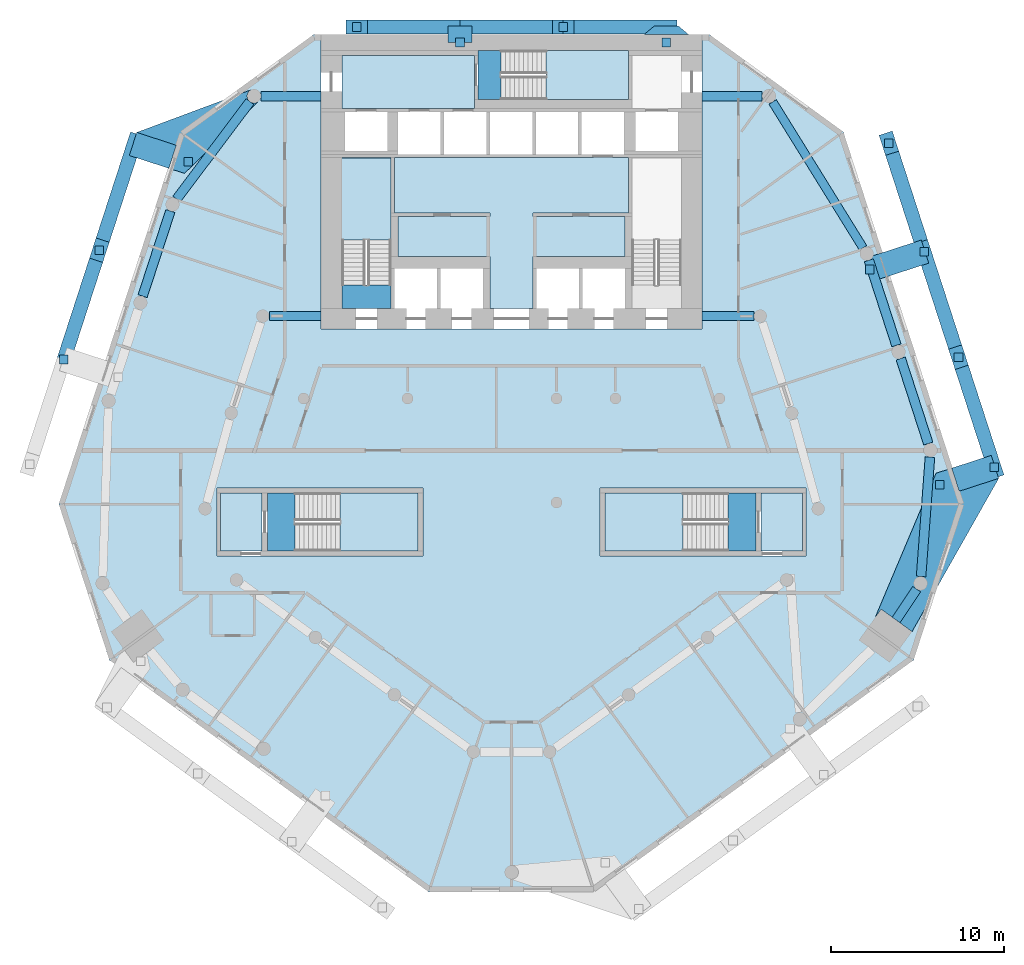
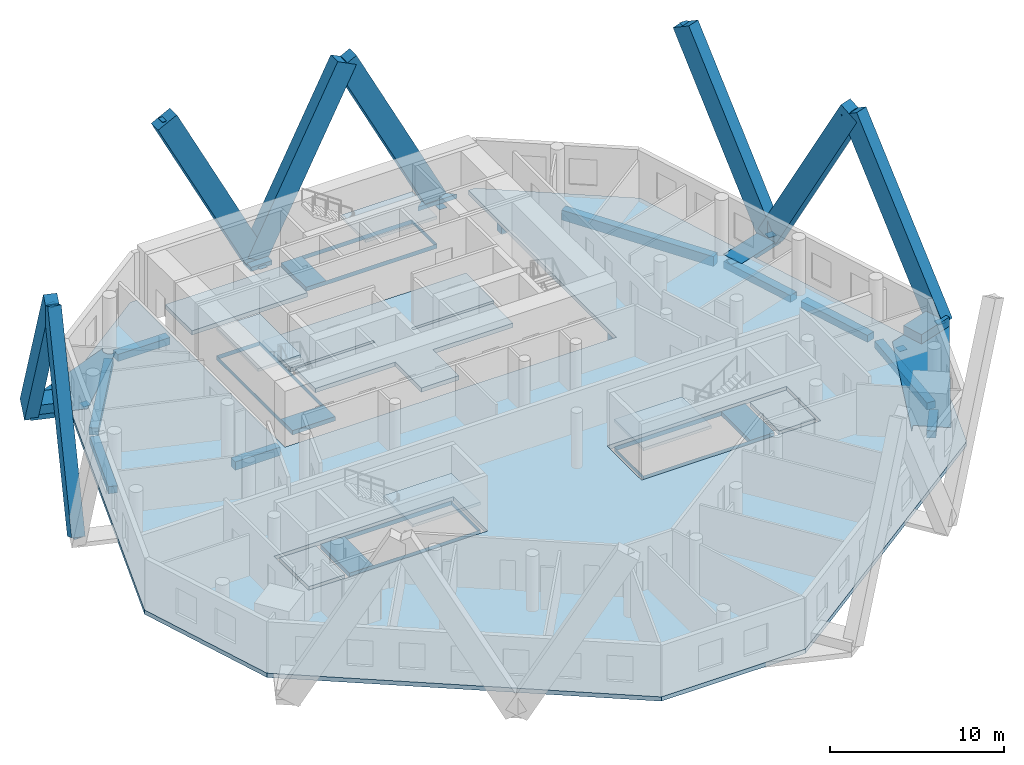
# One storey, part 2 of 10: 15 members, 13 discrete accessories, 13 slabs, 11 beams, 4 elements without a shape of their own.
"""IFC4 building model written with IfcOpenShell, lengths in metres."""

from ifc_helpers import new_model, si_unit, direction, frame, origin, origin_2d, place, context, subcontext, project, spatial, polyline, rectangle, outline, extrude, material, layer, layer_set, material_profile, profile_set, type_object, element, aggregate, save


model = new_model("IFC4")

# Units and contexts
model_context = context("Model", 3, precision=1e-05, world=origin(), true_north=direction((0.0, 1.0)))
body_context = subcontext(model_context, "Body", "Model", "MODEL_VIEW")
ifc_project = project(units=[si_unit("LENGTHUNIT", "METRE"), si_unit("AREAUNIT", "SQUARE_METRE"), si_unit("VOLUMEUNIT", "CUBIC_METRE"), si_unit("PLANEANGLEUNIT", "RADIAN"), si_unit("MASSUNIT", "GRAM", prefix="KILO")], contexts=[model_context])

# Site, building, storey
site_placement = place(None, origin())
site = spatial("IfcSite", under=ifc_project, at=site_placement, CompositionType="ELEMENT")
building_placement = place(site_placement, origin())
building = spatial("IfcBuilding", under=site, at=building_placement, Name="White Candle Pilgrim Tower", CompositionType="ELEMENT")
storey_placement = place(building_placement, frame((0.0, 0.0, 66.300048828125)))
storey = spatial("IfcBuildingStorey", under=building, at=storey_placement, Name="L13", CompositionType="ELEMENT", Elevation=66.300048828125)

# Member
ifc_material_1 = material(Name="Concrete C80/95, white", Category="concrete")
ifc_material_profile_1 = material_profile(ifc_material_1, rectangle(XDim=0.800048828125, YDim=1.39990234375, at=origin_2d()), Name="RC-DG 800x1400")
ifc_profile_set_1 = profile_set([ifc_material_profile_1], Name="Concrete C80/95, white")
member_type_1 = type_object("IfcMemberType", Name="Exoskeleton diagonal RC-DG 800x1400 C80/95", PredefinedType="BRACE", material=ifc_profile_set_1)
member_1_placement = place(storey_placement, frame((78.93701171875, 88.449951171875, 0.0), z_axis=(-0.453783992732, 0.0, 0.891111714624), x_axis=(0.0, -1.0, 0.0)))
member_1 = element("IfcMember", 1, at=member_1_placement, inside=storey, type_object=member_type_1, Name="Exoskeleton diagonal EX007", PredefinedType="BRACE", context=body_context, shape_type="SweptSolid", body=[
    extrude(rectangle(XDim=0.800048828125, YDim=1.39990234375, at=origin_2d()), origin(), (0.0, 0.0, 1.0), 13.129638671875),
])

member_2_placement = place(storey_placement, frame((67.02099609375, 88.449951171875, 0.0), z_axis=(0.453783992732, 0.0, 0.891111714624), x_axis=(0.0, 1.0, 0.0)))
element("IfcMember", 2, at=member_2_placement, inside=storey, type_object=member_type_1, Name="Exoskeleton diagonal EX008", PredefinedType="BRACE", context=body_context, shape_type="SweptSolid", body=[
    extrude(rectangle(XDim=0.800048828125, YDim=1.39990234375, at=origin_2d()), origin(), (0.0, 0.0, 1.0), 13.129638671875),
])

member_3_placement = place(storey_placement, frame((67.02099609375, 88.449951171875, 0.0), z_axis=(-0.453783992732, 0.0, 0.891111714624), x_axis=(0.0, -1.0, 0.0)))
member_3 = element("IfcMember", 3, at=member_3_placement, inside=storey, type_object=member_type_1, Name="Exoskeleton diagonal EX009", PredefinedType="BRACE", context=body_context, shape_type="SweptSolid", body=[
    extrude(rectangle(XDim=0.800048828125, YDim=1.39990234375, at=origin_2d()), origin(), (0.0, 0.0, 1.0), 13.129638671875),
])

member_4_placement = place(storey_placement, frame((97.857421875, 63.041015625, 0.0), z_axis=(-0.153080289795, 0.471113881797, 0.868687593588), x_axis=(-0.951052890969, -0.30902815176, 0.0)))
member_4 = element("IfcMember", 4, at=member_4_placement, inside=storey, type_object=member_type_1, Name="Exoskeleton diagonal EX019", PredefinedType="BRACE", context=body_context, shape_type="SweptSolid", body=[
    extrude(rectangle(XDim=0.800048828125, YDim=1.39990234375, at=origin_2d()), origin(), (0.0, 0.0, 1.0), 13.468505859375),
])

member_5_placement = place(storey_placement, frame((93.81982421875, 75.467041015625, 0.0), z_axis=(0.14819090652, -0.45607202628, 0.877517955411), x_axis=(0.951053989888, 0.30902476975, 0.0)))
member_5 = element("IfcMember", 5, at=member_5_placement, inside=storey, type_object=member_type_1, Name="Exoskeleton diagonal EX020", PredefinedType="BRACE", context=body_context, shape_type="SweptSolid", body=[
    extrude(rectangle(XDim=0.800048828125, YDim=1.39990234375, at=origin_2d()), origin(), (0.0, 0.0, 1.0), 13.3330078125),
])

member_6_placement = place(storey_placement, frame((93.81982421875, 75.467041015625, 0.0), z_axis=(-0.151704185107, 0.466910759771, 0.871194686985), x_axis=(-0.951059100646, -0.309009040449, 0.0)))
member_6 = element("IfcMember", 6, at=member_6_placement, inside=storey, type_object=member_type_1, Name="Exoskeleton diagonal EX021", PredefinedType="BRACE", context=body_context, shape_type="SweptSolid", body=[
    extrude(rectangle(XDim=0.800048828125, YDim=1.39990234375, at=origin_2d()), origin(), (0.0, 0.0, 1.0), 13.4296875),
])

member_7_placement = place(storey_placement, frame((48.19873046875, 81.68017578125, 0.0), z_axis=(-0.148877630459, -0.458225671741, 0.876278885348), x_axis=(0.951061954522, -0.309000256733, 0.0)))
member_7 = element("IfcMember", 7, at=member_7_placement, inside=storey, type_object=member_type_1, Name="Exoskeleton diagonal EX055", PredefinedType="BRACE", context=body_context, shape_type="SweptSolid", body=[
    extrude(rectangle(XDim=0.800048828125, YDim=1.39990234375, at=origin_2d()), origin(), (0.0, 0.0, 1.0), 13.351806640625),
])

member_8_placement = place(storey_placement, frame((44.161376953125, 69.25390625, 0.0), z_axis=(0.152392423747, 0.469031023796, 0.869934737726), x_axis=(-0.95105949234, 0.309007834902, 0.0)))
member_8 = element("IfcMember", 8, at=member_8_placement, inside=storey, type_object=member_type_1, Name="Exoskeleton diagonal EX056", PredefinedType="BRACE", context=body_context, shape_type="SweptSolid", body=[
    extrude(rectangle(XDim=0.800048828125, YDim=1.39990234375, at=origin_2d()), origin(), (0.0, 0.0, 1.0), 13.44921875),
])

ifc_material_2 = material(Name="Concrete C70/85, white", Category="concrete")
ifc_layer_1 = layer(ifc_material_2, 0.300048828125)
ifc_layer_set_1 = layer_set([ifc_layer_1], Name="Node tie strut 3350x1400x300 C70/85")
member_type_2 = type_object("IfcMemberType", Name="Node tie strut 3350x1400x300 C70/85", PredefinedType="STRUT", material=ifc_layer_set_1)
member_9_placement = place(storey_placement, frame((0.0, 0.0, -0.35009765625)))
member_9 = element("IfcMember", 9, at=member_9_placement, inside=storey, type_object=member_type_2, Name="Node tie strut NC021", PredefinedType="STRUT", context=body_context, shape_type="SweptSolid", body=[
    extrude(outline(polyline([(93.116455078125, 53.54345703125), (98.121337890625, 62.390625), (97.688720703125, 63.721923828125), (94.502685546875, 62.686767578125), (90.987060546875, 54.355224609375), (91.336669921875, 54.83642578125), (93.116455078125, 53.54345703125)])), origin(), (0.0, 0.0, 1.0), 0.35009765625),
])

member_10_placement = place(storey_placement, origin())
element("IfcMember", 10, at=member_10_placement, inside=storey, type_object=member_type_2, Name="Node tie strut NC021", PredefinedType="STRUT", context=body_context, shape_type="SweptSolid", body=[
    extrude(outline(polyline([(95.8388671875, 61.64892578125), (98.121337890625, 62.390625), (97.688720703125, 63.721923828125), (95.40625, 62.98046875), (95.8388671875, 61.64892578125)])), origin(), (0.0, 0.0, 1.0), 0.64990234375),
])

member_11_placement = place(storey_placement, frame((92.2744140625, 74.96484375, -0.30029296875), z_axis=(0.0, 0.0, 1.0), x_axis=(-0.309016994375, 0.951056516295, 0.0)))
member_11 = element("IfcMember", 11, at=member_11_placement, inside=storey, type_object=member_type_2, Name="Node tie strut NC022", PredefinedType="STRUT", context=body_context, shape_type="SweptSolid", body=[
    extrude(rectangle(XDim=1.39990234375, YDim=3.35009765625, at=origin_2d()), origin(), (0.0, 0.0, 1.0), 0.300048828125),
])

member_12_placement = place(storey_placement, frame((0.0, 0.0, -0.35009765625)))
member_12 = element("IfcMember", 12, at=member_12_placement, inside=storey, type_object=member_type_2, Name="Node tie strut NC029", PredefinedType="STRUT", context=body_context, shape_type="SweptSolid", body=[
    extrude(outline(polyline([(51.12109375, 79.99462890625), (55.4228515625, 84.17724609375), (55.40380859375, 84.1591796875), (55.383544921875, 84.142578125), (55.3623046875, 84.12744140625), (55.340087890625, 84.113525390625), (55.31689453125, 84.101318359375), (55.293212890625, 84.09033203125), (55.2685546875, 84.081298828125), (55.243408203125, 84.073486328125), (55.218017578125, 84.067626953125), (55.192138671875, 84.0634765625), (55.166259765625, 84.060791015625), (55.139892578125, 84.06005859375), (55.11376953125, 84.060791015625), (55.087890625, 84.0634765625), (55.06201171875, 84.067626953125), (55.03662109375, 84.073486328125), (55.011474609375, 84.081298828125), (54.98681640625, 84.09033203125), (54.963134765625, 84.101318359375), (54.93994140625, 84.113525390625), (54.917724609375, 84.12744140625), (54.896484375, 84.142578125), (54.876220703125, 84.1591796875), (54.857177734375, 84.17724609375), (54.83935546875, 84.1962890625), (54.82275390625, 84.216552734375), (54.807373046875, 84.23779296875), (54.793701171875, 84.260009765625), (54.78125, 84.283203125), (54.7705078125, 84.306884765625), (54.76123046875, 84.331298828125), (54.753662109375, 84.3564453125), (54.747802734375, 84.382080078125), (54.743408203125, 84.40771484375), (54.740966796875, 84.433837890625), (54.739990234375, 84.4599609375), (54.740966796875, 84.486083984375), (54.743408203125, 84.51220703125), (54.747802734375, 84.5380859375), (54.753662109375, 84.5634765625), (54.76123046875, 84.588623046875), (54.7705078125, 84.613037109375), (54.78125, 84.636962890625), (54.793701171875, 84.659912109375), (54.807373046875, 84.68212890625), (54.82275390625, 84.70361328125), (54.83935546875, 84.7236328125), (54.857177734375, 84.742919921875), (54.876220703125, 84.7607421875), (54.896484375, 84.77734375), (54.917724609375, 84.79248046875), (54.93994140625, 84.806396484375), (54.963134765625, 84.818603515625), (54.98681640625, 84.82958984375), (55.011474609375, 84.8388671875), (48.36767578125, 82.361328125), (47.93505859375, 81.02978515625), (51.12109375, 79.99462890625)])), origin(), (0.0, 0.0, 1.0), 0.35009765625),
])

member_13_placement = place(storey_placement, origin())
element("IfcMember", 13, at=member_13_placement, inside=storey, type_object=member_type_2, Name="Node tie strut NC029", PredefinedType="STRUT", context=body_context, shape_type="SweptSolid", body=[
    extrude(outline(polyline([(50.217529296875, 80.2880859375), (50.650146484375, 81.61962890625), (48.36767578125, 82.361328125), (47.93505859375, 81.02978515625), (50.217529296875, 80.2880859375)])), origin(), (0.0, 0.0, 1.0), 0.64990234375),
])

ifc_layer_2 = layer(ifc_material_2, 0.300048828125)
ifc_layer_set_2 = layer_set([ifc_layer_2], Name="Node tie strut 950x1400x300 C70/85")
member_type_3 = type_object("IfcMemberType", Name="Node tie strut 950x1400x300 C70/85", PredefinedType="STRUT", material=ifc_layer_set_2)
member_14_placement = place(storey_placement, frame((0.0, 0.0, -0.300048828125)))
member_14 = element("IfcMember", 14, at=member_14_placement, inside=storey, type_object=member_type_3, Name="Node tie strut NC023", PredefinedType="STRUT", context=body_context, shape_type="SweptSolid", body=[
    extrude(outline(polyline([(77.636962890625, 88.0), (80.237060546875, 88.0), (79.636962890625, 88.5), (78.237060546875, 88.5), (77.636962890625, 88.0)])), origin(), (0.0, 0.0, 1.0), 0.300048828125),
])

member_15_placement = place(storey_placement, frame((67.02099609375, 88.02490234375, -0.30029296875), z_axis=(0.0, 0.0, 1.0), x_axis=(-1.0, 0.0, 0.0)))
member_15 = element("IfcMember", 15, at=member_15_placement, inside=storey, type_object=member_type_3, Name="Node tie strut NC024", PredefinedType="STRUT", context=body_context, shape_type="SweptSolid", body=[
    extrude(rectangle(XDim=1.39990234375, YDim=0.949951171875, at=origin_2d()), origin(), (0.0, 0.0, 1.0), 0.300048828125),
])

# Beams
ifc_material_3 = material(Name="Concrete C50/60", Category="concrete")
ifc_material_profile_2 = material_profile(ifc_material_3, rectangle(XDim=0.5, YDim=0.60009765625, at=origin_2d()), Name="RC-BM 500x600")
ifc_profile_set_2 = profile_set([ifc_material_profile_2], Name="Concrete C50/60")
beam_type_1 = type_object("IfcBeamType", Name="Ring beam RC-BM 500x600 C50/60", PredefinedType="BEAM", material=ifc_profile_set_2)
for number, where, z_axis, x_axis, name in (
    (16, (83.985107421875, 71.760009765625, -0.60009765625), (-1.0, 0.0, 0.0), (0.0, -1.0, 0.0), "L13 ring beam R10"),
    (17, (56.014892578125, 71.760009765625, -0.60009765625), (1.0, 0.0, 0.0), (0.0, 1.0, 0.0), "L13 ring beam R11"),
):
    element("IfcBeam", number, at=place(storey_placement, frame(where, z_axis=z_axis, x_axis=x_axis)), inside=storey, type_object=beam_type_1, Name=name, PredefinedType="BEAM", context=body_context, shape_type="SweptSolid", body=[
        extrude(rectangle(XDim=0.5, YDim=0.60009765625, at=origin_2d()), origin(), (0.0, 0.0, 1.0), 2.985107421875),
    ])
ifc_material_profile_3 = material_profile(ifc_material_3, rectangle(XDim=0.5, YDim=0.699951171875, at=origin_2d()), Name="RC-BM 500x700")
ifc_profile_set_3 = profile_set([ifc_material_profile_3], Name="Concrete C50/60")
beam_type_2 = type_object("IfcBeamType", Name="Spandrel beam RC-BM 500x700 C50/60", PredefinedType="BEAM", material=ifc_profile_set_3)
beam_1_placement = place(storey_placement, frame((90.289306640625, 75.69970703125, -0.650146484375), z_axis=(-0.526800809553, 0.849988768781, 0.0), x_axis=(-0.849988768781, -0.526800809553, 0.0)))
element("IfcBeam", 18, at=beam_1_placement, inside=storey, type_object=beam_type_2, Name="L13 spandrel beam T10", PredefinedType="BEAM", context=body_context, shape_type="SweptSolid", body=[
    extrude(rectangle(XDim=0.5, YDim=0.699951171875, at=origin_2d()), origin(), (0.0, 0.0, 1.0), 9.906494140625),
])
ifc_material_profile_4 = material_profile(ifc_material_3, rectangle(XDim=0.550048828125, YDim=0.5, at=origin_2d()), Name="RC-BM 550x500")
ifc_profile_set_4 = profile_set([ifc_material_profile_4], Name="Concrete C50/60")
beam_type_3 = type_object("IfcBeamType", Name="Spandrel beam RC-BM 550x500 C50/60", PredefinedType="BEAM", material=ifc_profile_set_4)
beam_2_placement = place(storey_placement, frame((92.192626953125, 54.214599609375, -0.550048828125), z_axis=(0.556641005169, 0.830753147069, 0.0), x_axis=(-0.830753147069, 0.556641005169, 0.0)))
element("IfcBeam", 19, at=beam_2_placement, inside=storey, type_object=beam_type_3, Name="L13 spandrel beam T06", PredefinedType="BEAM", context=body_context, shape_type="SweptSolid", body=[
    extrude(rectangle(XDim=0.550048828125, YDim=0.5, at=origin_2d()), origin(), (0.0, 0.0, 1.0), 2.146484375),
])
beam_3_placement = place(storey_placement, frame((93.6396484375, 56.728759765625, -0.550048828125), z_axis=(0.073900311906, 0.99726563357, 0.0), x_axis=(-0.99726563357, 0.073900311906, 0.0)))
element("IfcBeam", 20, at=beam_3_placement, inside=storey, type_object=beam_type_3, Name="L13 spandrel beam T07", PredefinedType="BEAM", context=body_context, shape_type="SweptSolid", body=[
    extrude(rectangle(XDim=0.550048828125, YDim=0.5, at=origin_2d()), origin(), (0.0, 0.0, 1.0), 6.9111328125),
])
for number, where, z_axis, x_axis, name in (
    (21, (94.056640625, 64.400390625, -0.550048828125), (-0.308682827488, 0.951165028801, 0.0), (-0.951165028801, -0.308682827488, 0.0), "L13 spandrel beam T08"),
    (22, (92.216552734375, 70.0703125, -0.550048828125), (-0.308682827488, 0.951165028801, 0.0), (-0.951165028801, -0.308682827488, 0.0), "L13 spandrel beam T09"),
):
    element("IfcBeam", number, at=place(storey_placement, frame(where, z_axis=z_axis, x_axis=x_axis)), inside=storey, type_object=beam_type_3, Name=name, PredefinedType="BEAM", context=body_context, shape_type="SweptSolid", body=[
        extrude(rectangle(XDim=0.550048828125, YDim=0.5, at=origin_2d()), origin(), (0.0, 0.0, 1.0), 5.161376953125),
    ])
for number, where, z_axis, x_axis, name in (
    (23, (84.4599609375, 84.4599609375, -0.550048828125), (-1.0, 0.0, 0.0), (0.0, -1.0, 0.0), "L13 spandrel beam T11"),
    (24, (55.5400390625, 84.4599609375, -0.550048828125), (1.0, 0.0, 0.0), (0.0, 1.0, 0.0), "L13 spandrel beam T12"),
):
    element("IfcBeam", number, at=place(storey_placement, frame(where, z_axis=z_axis, x_axis=x_axis)), inside=storey, type_object=beam_type_3, Name=name, PredefinedType="BEAM", context=body_context, shape_type="SweptSolid", body=[
        extrude(rectangle(XDim=0.550048828125, YDim=0.5, at=origin_2d()), origin(), (0.0, 0.0, 1.0), 3.4599609375),
    ])
beam_4_placement = place(storey_placement, frame((54.899658203125, 84.140380859375, -0.550048828125), z_axis=(-0.601237643972, -0.79907026942, 0.0), x_axis=(0.79907026942, -0.601237643972, 0.0)))
element("IfcBeam", 25, at=beam_4_placement, inside=storey, type_object=beam_type_3, Name="L13 spandrel beam T13", PredefinedType="BEAM", context=body_context, shape_type="SweptSolid", body=[
    extrude(rectangle(XDim=0.550048828125, YDim=0.5, at=origin_2d()), origin(), (0.0, 0.0, 1.0), 7.0341796875),
])
beam_5_placement = place(storey_placement, frame((50.305908203125, 77.81982421875, -0.550048828125), z_axis=(-0.310165508273, -0.950682574511, 0.0), x_axis=(0.950682574511, -0.310165508273, 0.0)))
element("IfcBeam", 26, at=beam_5_placement, inside=storey, type_object=beam_type_3, Name="L13 spandrel beam T14", PredefinedType="BEAM", context=body_context, shape_type="SweptSolid", body=[
    extrude(rectangle(XDim=0.550048828125, YDim=0.5, at=origin_2d()), origin(), (0.0, 0.0, 1.0), 5.164306640625),
])

# Slabs
ifc_material_4 = material(Name="Concrete C40/50", Category="concrete")
ifc_layer_3 = layer(ifc_material_4, 0.300048828125)
ifc_layer_set_3 = layer_set([ifc_layer_3], Name="Core floor slab 300 mm Concrete C40/50")
slab_type_1 = type_object("IfcSlabType", Name="Core floor slab 300 mm Concrete C40/50", PredefinedType="FLOOR", material=ifc_layer_set_3)
slab_1_placement = place(storey_placement, frame((0.0, 0.0, -0.300048828125)))
element("IfcSlab", 27, at=slab_1_placement, inside=storey, type_object=slab_type_1, Name="CF-L13-01", PredefinedType="FLOOR", context=body_context, shape_type="SweptSolid", body=[
    extrude(outline(polyline([(55.60009765625, 58.199951171875), (53.199951171875, 58.199951171875), (53.199951171875, 61.550048828125), (55.60009765625, 61.550048828125), (55.60009765625, 58.199951171875)])), origin(), (0.0, 0.0, 1.0), 0.300048828125),
])
slab_2_placement = place(storey_placement, frame((0.0, 0.0, -0.300048828125)))
element("IfcSlab", 28, at=slab_2_placement, inside=storey, type_object=slab_type_1, Name="CF-L13-02", PredefinedType="FLOOR", context=body_context, shape_type="SweptSolid", body=[
    extrude(outline(polyline([(55.89990234375, 58.199951171875), (55.89990234375, 61.550048828125), (64.60009765625, 61.550048828125), (64.60009765625, 58.199951171875), (55.89990234375, 58.199951171875)]), holes=[polyline([(57.501953125, 61.548095703125), (57.501953125, 58.201904296875), (64.597900390625, 58.201904296875), (64.597900390625, 61.548095703125), (57.501953125, 61.548095703125)])]), origin(), (0.0, 0.0, 1.0), 0.300048828125),
])
slab_3_placement = place(storey_placement, frame((0.0, 0.0, -0.300048828125)))
element("IfcSlab", 29, at=slab_3_placement, inside=storey, type_object=slab_type_1, Name="CF-L13-03", PredefinedType="FLOOR", context=body_context, shape_type="SweptSolid", body=[
    extrude(outline(polyline([(75.39990234375, 58.199951171875), (75.39990234375, 61.550048828125), (84.10009765625, 61.550048828125), (84.10009765625, 58.199951171875), (75.39990234375, 58.199951171875)]), holes=[polyline([(82.498046875, 58.201904296875), (82.498046875, 61.548095703125), (75.402099609375, 61.548095703125), (75.402099609375, 58.201904296875), (82.498046875, 58.201904296875)])]), origin(), (0.0, 0.0, 1.0), 0.300048828125),
])
slab_4_placement = place(storey_placement, frame((0.0, 0.0, -0.300048828125)))
element("IfcSlab", 30, at=slab_4_placement, inside=storey, type_object=slab_type_1, Name="CF-L13-04", PredefinedType="FLOOR", context=body_context, shape_type="SweptSolid", body=[
    extrude(outline(polyline([(86.800048828125, 58.199951171875), (84.39990234375, 58.199951171875), (84.39990234375, 61.550048828125), (86.800048828125, 61.550048828125), (86.800048828125, 58.199951171875)])), origin(), (0.0, 0.0, 1.0), 0.300048828125),
])
slab_5_placement = place(storey_placement, frame((0.0, 0.0, -0.300048828125)))
element("IfcSlab", 31, at=slab_5_placement, inside=storey, type_object=slab_type_1, Name="CF-L13-05", PredefinedType="FLOOR", context=body_context, shape_type="SweptSolid", body=[
    extrude(outline(polyline([(76.75, 87.10009765625), (76.75, 86.800048828125), (76.75, 84.25), (68.050048828125, 84.25), (68.050048828125, 86.800048828125), (68.050048828125, 87.10009765625), (76.75, 87.10009765625)]), holes=[polyline([(69.402099609375, 87.097900390625), (69.402099609375, 84.251953125), (76.748046875, 84.251953125), (76.748046875, 87.097900390625), (69.402099609375, 87.097900390625)])]), origin(), (0.0, 0.0, 1.0), 0.300048828125),
])
slab_6_placement = place(storey_placement, frame((0.0, 0.0, -0.300048828125)))
element("IfcSlab", 32, at=slab_6_placement, inside=storey, type_object=slab_type_1, Name="CF-L13-08", PredefinedType="FLOOR", context=body_context, shape_type="SweptSolid", body=[
    extrude(outline(polyline([(68.75, 72.199951171875), (68.75, 74.5), (68.75, 75.199951171875), (63.449951171875, 75.199951171875), (63.449951171875, 77.5), (68.75, 77.5), (68.75, 77.699951171875), (63.25, 77.699951171875), (63.25, 80.89990234375), (76.75, 80.89990234375), (76.75, 77.699951171875), (71.25, 77.699951171875), (71.25, 77.5), (76.550048828125, 77.5), (76.550048828125, 75.199951171875), (71.25, 75.199951171875), (71.25, 74.5), (71.25, 72.199951171875), (68.75, 72.199951171875)])), origin(), (0.0, 0.0, 1.0), 0.300048828125),
])
slab_7_placement = place(storey_placement, frame((0.0, 0.0, -0.300048828125)))
element("IfcSlab", 33, at=slab_7_placement, inside=storey, type_object=slab_type_1, Name="CF-L13-09", PredefinedType="FLOOR", context=body_context, shape_type="SweptSolid", body=[
    extrude(outline(polyline([(60.199951171875, 72.199951171875), (60.199951171875, 80.89990234375), (63.050048828125, 80.89990234375), (63.050048828125, 77.699951171875), (63.050048828125, 77.5), (63.050048828125, 75.199951171875), (63.050048828125, 74.5), (63.050048828125, 72.199951171875), (60.199951171875, 72.199951171875)]), holes=[polyline([(60.201904296875, 73.552001953125), (63.048095703125, 73.552001953125), (63.048095703125, 80.89794921875), (60.201904296875, 80.89794921875), (60.201904296875, 73.552001953125)])]), origin(), (0.0, 0.0, 1.0), 0.300048828125),
])
slab_8_placement = place(storey_placement, frame((0.0, 0.0, -0.300048828125)))
element("IfcSlab", 34, at=slab_8_placement, inside=storey, type_object=slab_type_1, Name="CF-L13-10", PredefinedType="FLOOR", context=body_context, shape_type="SweptSolid", body=[
    extrude(outline(polyline([(60.199951171875, 86.800048828125), (67.85009765625, 86.800048828125), (67.85009765625, 84.25), (67.85009765625, 83.75), (60.199951171875, 83.75), (60.199951171875, 86.800048828125)])), origin(), (0.0, 0.0, 1.0), 0.300048828125),
])
ifc_layer_4 = layer(ifc_material_4, 0.300048828125)
ifc_layer_set_4 = layer_set([ifc_layer_4], Name="Floor slab 300 REI 120")
slab_type_2 = type_object("IfcSlabType", Name="Floor slab 300 REI 120", PredefinedType="FLOOR", material=ifc_layer_set_4)
slab_9_placement = place(storey_placement, frame((0.0, 0.0, -0.300048828125)))
element("IfcSlab", 35, at=slab_9_placement, inside=storey, type_object=slab_type_2, Name="L13 floor slab", PredefinedType="FLOOR", context=body_context, shape_type="SweptSolid", body=[
    extrude(outline(polyline([(65.219482421875, 38.516357421875), (74.780517578125, 38.516357421875), (93.210205078125, 51.906005859375), (96.133544921875, 60.903564453125), (89.150146484375, 82.39599609375), (81.43701171875, 88.0), (81.0, 88.0), (81.0, 71.0), (59.0, 71.0), (59.0, 88.0), (58.56298828125, 88.0), (50.849853515625, 82.39599609375), (43.866455078125, 60.903564453125), (46.789794921875, 51.906005859375), (65.219482421875, 38.516357421875)]), holes=[polyline([(53.0, 57.89990234375), (53.0, 61.85009765625), (64.89990234375, 61.85009765625), (64.89990234375, 57.89990234375), (53.0, 57.89990234375)]), polyline([(75.10009765625, 57.89990234375), (75.10009765625, 61.85009765625), (87.0, 61.85009765625), (87.0, 57.89990234375), (75.10009765625, 57.89990234375)])]), origin(), (0.0, 0.0, 1.0), 0.300048828125),
])

# Stair, slab
stair_type_1 = type_object("IfcStairType", Name="Exit stair 1 flight width 1350 mm", PredefinedType="HALF_TURN_STAIR", material=ifc_material_4)
stair_1_placement = place(storey_placement, origin())
stair_1 = element("IfcStair", 36, at=stair_1_placement, inside=storey, type_object=stair_type_1, Name="L13 stair 1", PredefinedType="NOTDEFINED")
ifc_layer_5 = layer(ifc_material_4, 0.199951171875)
ifc_layer_set_5 = layer_set([ifc_layer_5], Name="Stair landing Concrete C40/50")
slab_type_3 = type_object("IfcSlabType", Name="Stair landing Concrete C40/50", PredefinedType="LANDING", material=ifc_layer_set_5)
slab_10_placement = place(storey_placement, frame((0.0, 0.0, 1.75)))
slab_10 = element("IfcSlab", 37, at=slab_10_placement, type_object=slab_type_3, Name="ST1 landing 1", PredefinedType="LANDING", context=body_context, shape_type="SweptSolid", body=[
    extrude(outline(polyline([(63.052001953125, 76.14794921875), (60.197998046875, 76.14794921875), (60.197998046875, 80.902099609375), (63.052001953125, 80.902099609375), (63.052001953125, 76.14794921875)])), origin(), (0.0, 0.0, 1.0), 0.199951171875),
])
aggregate(stair_1, [slab_10])

stair_type_2 = type_object("IfcStairType", Name="Exit stair 3 flight width 1350 mm", PredefinedType="HALF_TURN_STAIR", material=ifc_material_4)
stair_2_placement = place(storey_placement, origin())
stair_2 = element("IfcStair", 38, at=stair_2_placement, inside=storey, type_object=stair_type_2, Name="L13 stair 3", PredefinedType="NOTDEFINED")
slab_11_placement = place(storey_placement, frame((0.0, 0.0, 1.75)))
slab_11 = element("IfcSlab", 39, at=slab_11_placement, type_object=slab_type_3, Name="ST3 landing 1", PredefinedType="LANDING", context=body_context, shape_type="SweptSolid", body=[
    extrude(outline(polyline([(71.998046875, 84.248046875), (71.998046875, 87.10205078125), (76.751953125, 87.10205078125), (76.751953125, 84.248046875), (71.998046875, 84.248046875)])), origin(), (0.0, 0.0, 1.0), 0.199951171875),
])
aggregate(stair_2, [slab_11])

stair_type_3 = type_object("IfcStairType", Name="Exit stair 4 flight width 1600 mm", PredefinedType="HALF_TURN_STAIR", material=ifc_material_4)
stair_3_placement = place(storey_placement, origin())
stair_3 = element("IfcStair", 40, at=stair_3_placement, inside=storey, type_object=stair_type_3, Name="L13 stair 4", PredefinedType="NOTDEFINED")
slab_12_placement = place(storey_placement, frame((0.0, 0.0, 1.75)))
slab_12 = element("IfcSlab", 41, at=slab_12_placement, type_object=slab_type_3, Name="ST4 landing 1", PredefinedType="LANDING", context=body_context, shape_type="SweptSolid", body=[
    extrude(outline(polyline([(79.902099609375, 61.552001953125), (79.902099609375, 58.197998046875), (75.39794921875, 58.197998046875), (75.39794921875, 61.552001953125), (79.902099609375, 61.552001953125)])), origin(), (0.0, 0.0, 1.0), 0.199951171875),
])
aggregate(stair_3, [slab_12])

stair_type_4 = type_object("IfcStairType", Name="Exit stair 5 flight width 1600 mm", PredefinedType="HALF_TURN_STAIR", material=ifc_material_4)
stair_4_placement = place(storey_placement, origin())
stair_4 = element("IfcStair", 42, at=stair_4_placement, inside=storey, type_object=stair_type_4, Name="L13 stair 5", PredefinedType="NOTDEFINED")
slab_13_placement = place(storey_placement, frame((0.0, 0.0, 1.75)))
slab_13 = element("IfcSlab", 43, at=slab_13_placement, type_object=slab_type_3, Name="ST5 landing 1", PredefinedType="LANDING", context=body_context, shape_type="SweptSolid", body=[
    extrude(outline(polyline([(60.097900390625, 58.197998046875), (60.097900390625, 61.552001953125), (64.60205078125, 61.552001953125), (64.60205078125, 58.197998046875), (60.097900390625, 58.197998046875)])), origin(), (0.0, 0.0, 1.0), 0.199951171875),
])
aggregate(stair_4, [slab_13])

# Discrete accessory
ifc_material_5 = material(Name="Steel S355", Category="steel")
ifc_layer_6 = layer(ifc_material_5, 0.02490234375)
ifc_layer_set_6 = layer_set([ifc_layer_6], Name="Gusset plate 500x500x25 S355")
discrete_accessory_type = type_object("IfcDiscreteAccessoryType", Name="Gusset plate 500x500x25 S355", PredefinedType="BRACKET", material=ifc_layer_set_6)
placement = place(building_placement, frame((0.0, 0.0, 78.0)))
discrete_accessory_1_placement = place(placement, frame((72.97900390625, 88.449951171875, -0.012451171875), z_axis=(0.0, 0.0, 1.0), x_axis=(1.0, 0.0, 0.0)))
discrete_accessory_1 = element("IfcDiscreteAccessory", 44, at=discrete_accessory_1_placement, type_object=discrete_accessory_type, Name="Gusset plate 0007", PredefinedType="BRACKET", context=body_context, shape_type="SweptSolid", body=[
    extrude(rectangle(XDim=0.5, YDim=0.5, at=origin_2d()), origin(), (0.0, 0.0, 1.0), 0.02490234375),
])

aggregate(member_1, [discrete_accessory_1])

discrete_accessory_2_placement = place(placement, frame((61.06298828125, 88.449951171875, -0.012451171875), z_axis=(0.0, 0.0, 1.0), x_axis=(1.0, 0.0, 0.0)))
discrete_accessory_2 = element("IfcDiscreteAccessory", 45, at=discrete_accessory_2_placement, type_object=discrete_accessory_type, Name="Gusset plate 0008", PredefinedType="BRACKET", context=body_context, shape_type="SweptSolid", body=[
    extrude(rectangle(XDim=0.5, YDim=0.5, at=origin_2d()), origin(), (0.0, 0.0, 1.0), 0.02490234375),
])

aggregate(member_3, [discrete_accessory_2])

discrete_accessory_3_placement = place(storey_placement, frame((97.857421875, 63.041015625, -0.012451171875), z_axis=(0.0, 0.0, 1.0), x_axis=(1.0, 0.0, 0.0)))
discrete_accessory_3 = element("IfcDiscreteAccessory", 46, at=discrete_accessory_3_placement, type_object=discrete_accessory_type, Name="Gusset plate 0018", PredefinedType="BRACKET", context=body_context, shape_type="SweptSolid", body=[
    extrude(rectangle(XDim=0.5, YDim=0.5, at=origin_2d()), origin(), (0.0, 0.0, 1.0), 0.02490234375),
])

discrete_accessory_4_placement = place(placement, frame((95.795654296875, 69.38623046875, -0.012451171875), z_axis=(0.0, 0.0, 1.0), x_axis=(1.0, 0.0, 0.0)))
discrete_accessory_4 = element("IfcDiscreteAccessory", 47, at=discrete_accessory_4_placement, type_object=discrete_accessory_type, Name="Gusset plate 0019", PredefinedType="BRACKET", context=body_context, shape_type="SweptSolid", body=[
    extrude(rectangle(XDim=0.5, YDim=0.5, at=origin_2d()), origin(), (0.0, 0.0, 1.0), 0.02490234375),
])

aggregate(member_4, [discrete_accessory_3, discrete_accessory_4])

discrete_accessory_5_placement = place(storey_placement, frame((93.81982421875, 75.467041015625, -0.012451171875), z_axis=(0.0, 0.0, 1.0), x_axis=(1.0, 0.0, 0.0)))
discrete_accessory_5 = element("IfcDiscreteAccessory", 48, at=discrete_accessory_5_placement, type_object=discrete_accessory_type, Name="Gusset plate 0020", PredefinedType="BRACKET", context=body_context, shape_type="SweptSolid", body=[
    extrude(rectangle(XDim=0.5, YDim=0.5, at=origin_2d()), origin(), (0.0, 0.0, 1.0), 0.02490234375),
])

aggregate(member_5, [discrete_accessory_5])

discrete_accessory_6_placement = place(placement, frame((91.782470703125, 81.737548828125, -0.012451171875), z_axis=(0.0, 0.0, 1.0), x_axis=(1.0, 0.0, 0.0)))
discrete_accessory_6 = element("IfcDiscreteAccessory", 49, at=discrete_accessory_6_placement, type_object=discrete_accessory_type, Name="Gusset plate 0021", PredefinedType="BRACKET", context=body_context, shape_type="SweptSolid", body=[
    extrude(rectangle(XDim=0.5, YDim=0.5, at=origin_2d()), origin(), (0.0, 0.0, 1.0), 0.02490234375),
])

aggregate(member_6, [discrete_accessory_6])

discrete_accessory_7_placement = place(placement, frame((46.2109375, 75.56201171875, -0.012451171875), z_axis=(0.0, 0.0, 1.0), x_axis=(1.0, 0.0, 0.0)))
discrete_accessory_7 = element("IfcDiscreteAccessory", 50, at=discrete_accessory_7_placement, type_object=discrete_accessory_type, Name="Gusset plate 0063", PredefinedType="BRACKET", context=body_context, shape_type="SweptSolid", body=[
    extrude(rectangle(XDim=0.5, YDim=0.5, at=origin_2d()), origin(), (0.0, 0.0, 1.0), 0.02490234375),
])

aggregate(member_7, [discrete_accessory_7])

discrete_accessory_8_placement = place(storey_placement, frame((44.161376953125, 69.25390625, -0.012451171875), z_axis=(0.0, 0.0, 1.0), x_axis=(1.0, 0.0, 0.0)))
discrete_accessory_8 = element("IfcDiscreteAccessory", 51, at=discrete_accessory_8_placement, type_object=discrete_accessory_type, Name="Gusset plate 0064", PredefinedType="BRACKET", context=body_context, shape_type="SweptSolid", body=[
    extrude(rectangle(XDim=0.5, YDim=0.5, at=origin_2d()), origin(), (0.0, 0.0, 1.0), 0.02490234375),
])

aggregate(member_8, [discrete_accessory_8])

discrete_accessory_9_placement = place(storey_placement, frame((94.718994140625, 62.02099609375, -0.16259765625), z_axis=(0.0, 0.0, 1.0), x_axis=(1.0, 0.0, 0.0)))
discrete_accessory_9 = element("IfcDiscreteAccessory", 52, at=discrete_accessory_9_placement, type_object=discrete_accessory_type, Name="Gusset plate 0402", PredefinedType="BRACKET", context=body_context, shape_type="SweptSolid", body=[
    extrude(rectangle(XDim=0.5, YDim=0.5, at=origin_2d()), origin(), (0.0, 0.0, 1.0), 0.02490234375),
])

aggregate(member_9, [discrete_accessory_9])

discrete_accessory_10_placement = place(storey_placement, frame((90.681396484375, 74.447265625, -0.16259765625), z_axis=(0.0, 0.0, 1.0), x_axis=(1.0, 0.0, 0.0)))
discrete_accessory_10 = element("IfcDiscreteAccessory", 53, at=discrete_accessory_10_placement, type_object=discrete_accessory_type, Name="Gusset plate 0403", PredefinedType="BRACKET", context=body_context, shape_type="SweptSolid", body=[
    extrude(rectangle(XDim=0.5, YDim=0.5, at=origin_2d()), origin(), (0.0, 0.0, 1.0), 0.02490234375),
])

aggregate(member_11, [discrete_accessory_10])

discrete_accessory_11_placement = place(storey_placement, frame((78.93701171875, 87.550048828125, -0.16259765625), z_axis=(0.0, 0.0, 1.0), x_axis=(1.0, 0.0, 0.0)))
discrete_accessory_11 = element("IfcDiscreteAccessory", 54, at=discrete_accessory_11_placement, type_object=discrete_accessory_type, Name="Gusset plate 0404", PredefinedType="BRACKET", context=body_context, shape_type="SweptSolid", body=[
    extrude(rectangle(XDim=0.5, YDim=0.5, at=origin_2d()), origin(), (0.0, 0.0, 1.0), 0.02490234375),
])

aggregate(member_14, [discrete_accessory_11])

discrete_accessory_12_placement = place(storey_placement, frame((67.02099609375, 87.550048828125, -0.16259765625), z_axis=(0.0, 0.0, 1.0), x_axis=(1.0, 0.0, 0.0)))
discrete_accessory_12 = element("IfcDiscreteAccessory", 55, at=discrete_accessory_12_placement, type_object=discrete_accessory_type, Name="Gusset plate 0405", PredefinedType="BRACKET", context=body_context, shape_type="SweptSolid", body=[
    extrude(rectangle(XDim=0.5, YDim=0.5, at=origin_2d()), origin(), (0.0, 0.0, 1.0), 0.02490234375),
])

aggregate(member_15, [discrete_accessory_12])

discrete_accessory_13_placement = place(storey_placement, frame((51.33740234375, 80.660400390625, -0.16259765625), z_axis=(0.0, 0.0, 1.0), x_axis=(1.0, 0.0, 0.0)))
discrete_accessory_13 = element("IfcDiscreteAccessory", 56, at=discrete_accessory_13_placement, type_object=discrete_accessory_type, Name="Gusset plate 0410", PredefinedType="BRACKET", context=body_context, shape_type="SweptSolid", body=[
    extrude(rectangle(XDim=0.5, YDim=0.5, at=origin_2d()), origin(), (0.0, 0.0, 1.0), 0.02490234375),
])

aggregate(member_12, [discrete_accessory_13])

save(model, "model.ifc")
